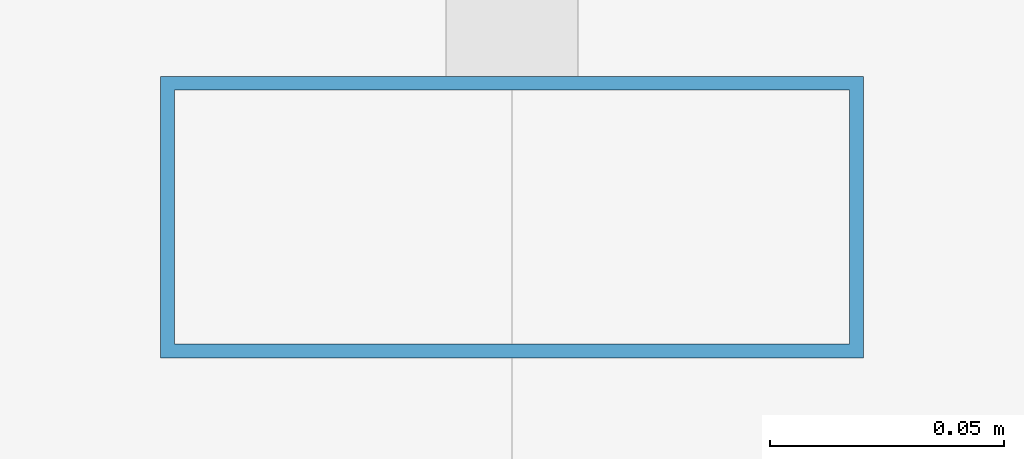
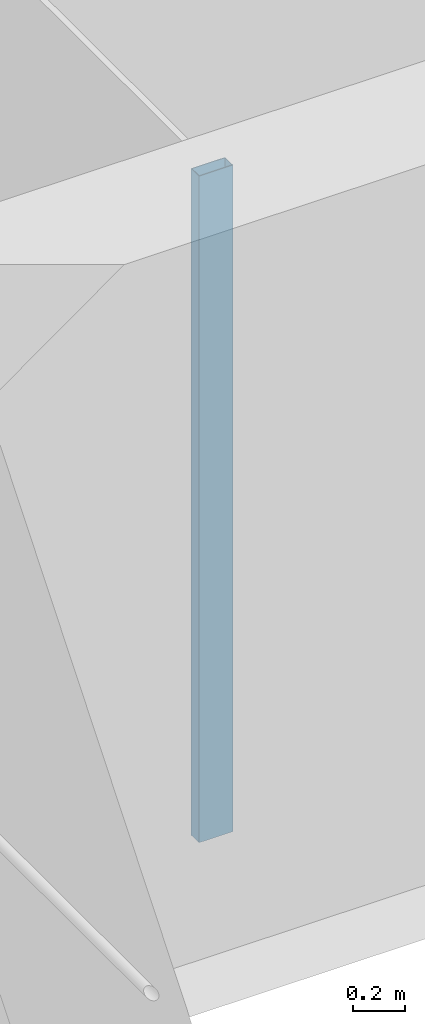
# One storey, part 11 of 40: 1 member, 1 element without a shape of its own.
"""IFC4 building model written with IfcOpenShell, lengths in metres."""

from ifc_helpers import new_model, si_unit, direction, frame, origin, origin_2d, place, context, subcontext, project, spatial, hollow_rectangle, extrude, material, material_profile, profile_set, type_object, element, aggregate, save


model = new_model("IFC4")

# Units and contexts
model_context = context("Model", 3, precision=1e-05, world=origin(), true_north=direction((0.0, 1.0)))
body_context = subcontext(model_context, "Body", "Model", "MODEL_VIEW")
ifc_project = project(units=[si_unit("LENGTHUNIT", "METRE"), si_unit("AREAUNIT", "SQUARE_METRE"), si_unit("VOLUMEUNIT", "CUBIC_METRE"), si_unit("PLANEANGLEUNIT", "RADIAN"), si_unit("MASSUNIT", "GRAM", prefix="KILO")], contexts=[model_context])

# Site, building, storey
site_placement = place(None, origin())
site = spatial("IfcSite", under=ifc_project, at=site_placement, CompositionType="ELEMENT")
building_placement = place(site_placement, origin())
building = spatial("IfcBuilding", under=site, at=building_placement, Name="Altepetl Exchange Towers", CompositionType="ELEMENT")
storey_placement = place(building_placement, frame((0.0, 0.0, 183.39990234375)))
storey = spatial("IfcBuildingStorey", under=building, at=storey_placement, Name="L46", CompositionType="ELEMENT", Elevation=183.39990234375)

# Curtain wall, member
ifc_material_1 = material(Name="Aluminium 6063-T6 glazing", Category="aluminium")
curtain_wall_type = type_object("IfcCurtainWallType", Name="Loggia glazing system", PredefinedType="NOTDEFINED", material=ifc_material_1)
curtain_wall_placement = place(storey_placement, origin())
curtain_wall = element("IfcCurtainWall", 1, at=curtain_wall_placement, inside=storey, type_object=curtain_wall_type, Name="CW1 run", PredefinedType="NOTDEFINED")
ifc_material_2 = material(Name="Aluminium 6063-T6", Category="aluminium")
ifc_material_profile = material_profile(ifc_material_2, hollow_rectangle(XDim=0.06005859375, YDim=0.14990234375, WallThickness=0.0029296875, at=origin_2d()), Name="Mullion 60x150 aluminium")
ifc_profile_set = profile_set([ifc_material_profile], Name="Aluminium 6063-T6")
member_type = type_object("IfcMemberType", Name="Mullion 60x150 aluminium", PredefinedType="MULLION", material=ifc_profile_set)
member_placement = place(storey_placement, frame((42.5, 58.60498046875, 0.0), z_axis=(0.0, 0.0, 1.0), x_axis=(0.0, -1.0, 0.0)))
member = element("IfcMember", 2, at=member_placement, type_object=member_type, Name="MU1 mullion", PredefinedType="MULLION", context=body_context, shape_type="SweptSolid", body=[
    extrude(hollow_rectangle(XDim=0.06005859375, YDim=0.14990234375, WallThickness=0.0029296875, at=origin_2d()), origin(), (0.0, 0.0, 1.0), 3.10009765625),
])
aggregate(curtain_wall, [member])

save(model, "model.ifc")
